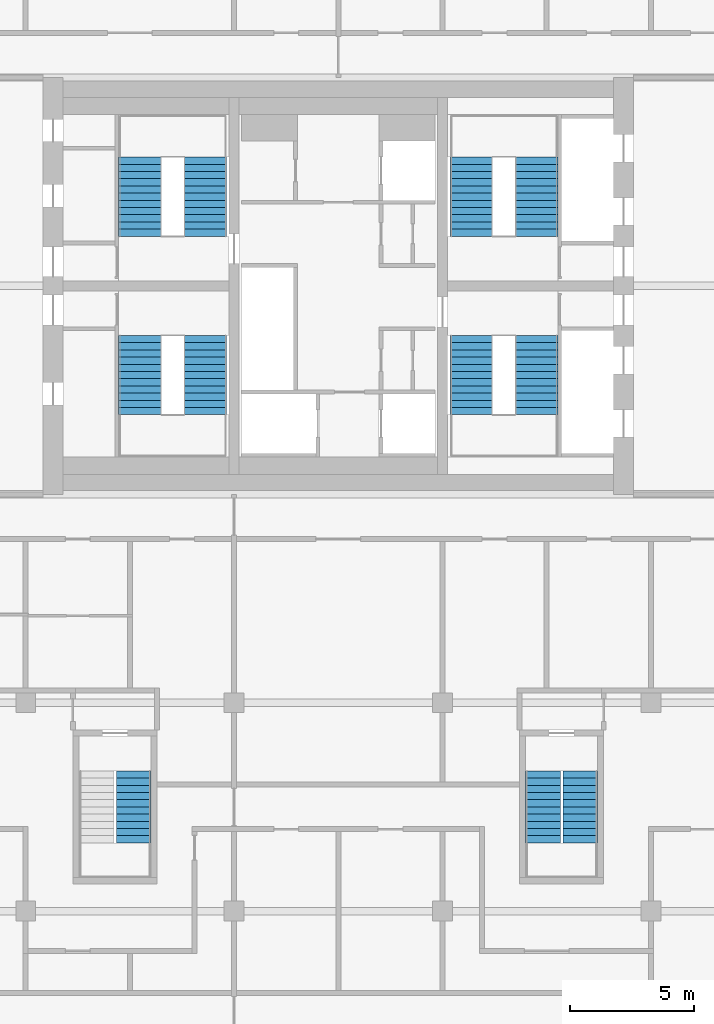
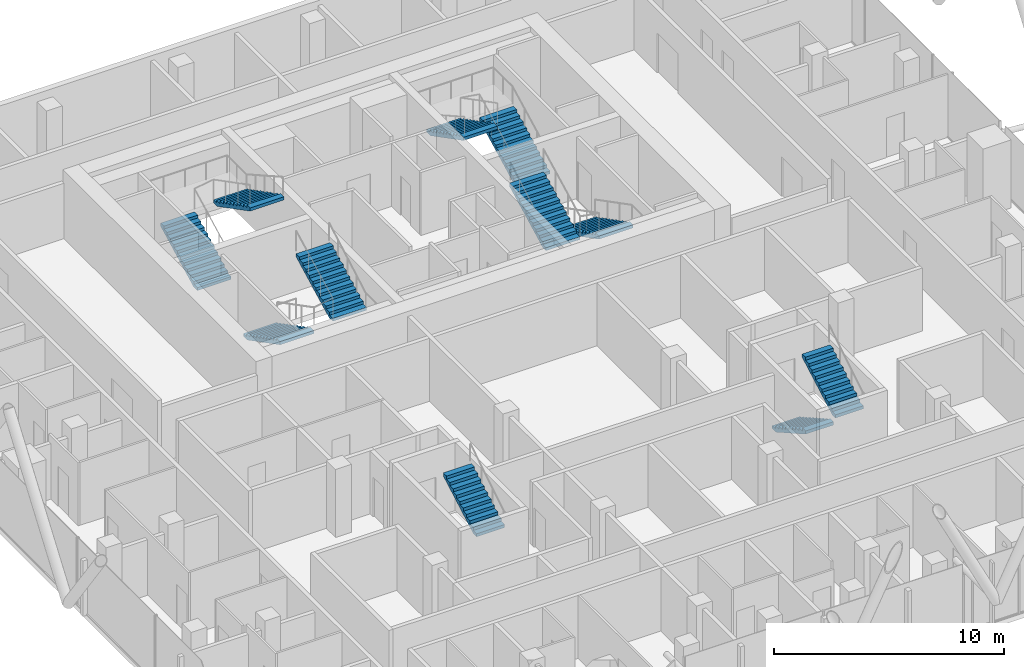
# One storey, part 30 of 31: 11 stair flights, 6 elements without a shape of their own.
"""IFC4 building model written with IfcOpenShell, lengths in metres."""

from ifc_helpers import new_model, si_unit, direction, frame, origin, place, context, subcontext, project, spatial, polyline, outline, extrude, material, type_object, element, aggregate, save


model = new_model("IFC4")

# Units and contexts
model_context = context("Model", 3, precision=1e-05, world=origin(), true_north=direction((0.0, 1.0)))
body_context = subcontext(model_context, "Body", "Model", "MODEL_VIEW")
ifc_project = project(units=[si_unit("LENGTHUNIT", "METRE"), si_unit("AREAUNIT", "SQUARE_METRE"), si_unit("VOLUMEUNIT", "CUBIC_METRE"), si_unit("PLANEANGLEUNIT", "RADIAN"), si_unit("MASSUNIT", "GRAM", prefix="KILO")], contexts=[model_context])

# Site, building, storey
site_placement = place(None, origin())
site = spatial("IfcSite", under=ifc_project, at=site_placement, CompositionType="ELEMENT")
building_placement = place(site_placement, origin())
building = spatial("IfcBuilding", under=site, at=building_placement, Name="Marenta Gate Hotel Tower", CompositionType="ELEMENT")
storey_placement = place(building_placement, frame((0.0, 0.0, 234.5)))
storey = spatial("IfcBuildingStorey", under=building, at=storey_placement, Name="L55", CompositionType="ELEMENT", Elevation=234.5)

# Stair, stair flights
ifc_material_1 = material(Name="Concrete C40", Category="concrete")
stair_type_1 = type_object("IfcStairType", Name="Core exit stair 1700 wide", PredefinedType="HALF_TURN_STAIR", material=ifc_material_1)
stair_1_placement = place(storey_placement, origin())
stair_1 = element("IfcStair", 1, at=stair_1_placement, inside=storey, type_object=stair_type_1, Name="Exit stair 1", PredefinedType="HALF_TURN_STAIR")
ifc_material_2 = material(Name="Concrete C40", Category="concrete")
stair_flight_type_1 = type_object("IfcStairFlightType", Name="Core stair flight 1700 riser 150.0 going 290", PredefinedType="STRAIGHT", material=ifc_material_2)
stair_flight_1_placement = place(storey_placement, frame((-8.0, 6.39990234375, 0.0), z_axis=(0.0, 0.0, 1.0), x_axis=(0.0, -1.0, 0.0)))
stair_flight_1 = element("IfcStairFlight", 2, at=stair_flight_1_placement, type_object=stair_flight_type_1, Name="ST1 flight 1", NumberOfRisers=12, NumberOfTreads=11, PredefinedType="STRAIGHT", RiserHeight=0.15, TreadLength=0.29, context=body_context, shape_type="SweptSolid", body=[
    extrude(outline(polyline([(0.0, 0.0), (0.0, 0.14990234375), (0.2900390625, 0.14990234375), (0.2900390625, 0.300048828125), (0.580078125, 0.300048828125), (0.580078125, 0.449951171875), (0.8701171875, 0.449951171875), (0.8701171875, 0.60009765625), (1.159912109375, 0.60009765625), (1.159912109375, 0.75), (1.449951171875, 0.75), (1.449951171875, 0.89990234375), (1.739990234375, 0.89990234375), (1.739990234375, 1.050048828125), (2.030029296875, 1.050048828125), (2.030029296875, 1.199951171875), (2.320068359375, 1.199951171875), (2.320068359375, 1.35009765625), (2.610107421875, 1.35009765625), (2.610107421875, 1.5), (2.89990234375, 1.5), (2.89990234375, 1.64990234375), (3.18994140625, 1.64990234375), (3.18994140625, 1.800048828125), (3.18994140625, 1.481201171875), (0.326171875, 0.0), (0.0, 0.0)])), frame((0.0, 0.85009765625, 0.0), z_axis=(0.0, -1.0, 0.0), x_axis=(1.0, 0.0, 0.0)), (0.0, 0.0, 1.0), 1.699951171875),
])
stair_flight_2_placement = place(storey_placement, frame((-5.35009765625, 3.2099609375, 1.800048828125), z_axis=(0.0, 0.0, 1.0), x_axis=(0.0, 1.0, 0.0)))
stair_flight_2 = element("IfcStairFlight", 3, at=stair_flight_2_placement, type_object=stair_flight_type_1, Name="ST1 flight 2", NumberOfRisers=12, NumberOfTreads=11, PredefinedType="STRAIGHT", RiserHeight=0.15, TreadLength=0.29, context=body_context, shape_type="SweptSolid", body=[
    extrude(outline(polyline([(0.0, 0.0), (0.0, 0.14990234375), (0.2900390625, 0.14990234375), (0.2900390625, 0.300048828125), (0.580078125, 0.300048828125), (0.580078125, 0.449951171875), (0.8701171875, 0.449951171875), (0.8701171875, 0.60009765625), (1.159912109375, 0.60009765625), (1.159912109375, 0.75), (1.449951171875, 0.75), (1.449951171875, 0.89990234375), (1.739990234375, 0.89990234375), (1.739990234375, 1.050048828125), (2.030029296875, 1.050048828125), (2.030029296875, 1.199951171875), (2.320068359375, 1.199951171875), (2.320068359375, 1.35009765625), (2.610107421875, 1.35009765625), (2.610107421875, 1.5), (2.89990234375, 1.5), (2.89990234375, 1.64990234375), (3.18994140625, 1.64990234375), (3.18994140625, 1.800048828125), (3.18994140625, 1.481201171875), (0.326171875, 0.0), (0.0, 0.0)])), frame((0.0, 0.85009765625, 0.0), z_axis=(0.0, -1.0, 0.0), x_axis=(1.0, 0.0, 0.0)), (0.0, 0.0, 1.0), 1.699951171875),
])
aggregate(stair_1, [stair_flight_1, stair_flight_2])

stair_2_placement = place(storey_placement, origin())
stair_2 = element("IfcStair", 4, at=stair_2_placement, inside=storey, type_object=stair_type_1, Name="Exit stair 2", PredefinedType="HALF_TURN_STAIR")
stair_flight_3_placement = place(storey_placement, frame((-8.0, 10.39990234375, 0.0), z_axis=(0.0, 0.0, 1.0), x_axis=(0.0, 1.0, 0.0)))
stair_flight_3 = element("IfcStairFlight", 5, at=stair_flight_3_placement, type_object=stair_flight_type_1, Name="ST2 flight 1", NumberOfRisers=12, NumberOfTreads=11, PredefinedType="STRAIGHT", RiserHeight=0.15, TreadLength=0.29, context=body_context, shape_type="SweptSolid", body=[
    extrude(outline(polyline([(0.0, 0.0), (0.0, 0.14990234375), (0.2900390625, 0.14990234375), (0.2900390625, 0.300048828125), (0.580078125, 0.300048828125), (0.580078125, 0.449951171875), (0.8701171875, 0.449951171875), (0.8701171875, 0.60009765625), (1.159912109375, 0.60009765625), (1.159912109375, 0.75), (1.449951171875, 0.75), (1.449951171875, 0.89990234375), (1.739990234375, 0.89990234375), (1.739990234375, 1.050048828125), (2.030029296875, 1.050048828125), (2.030029296875, 1.199951171875), (2.320068359375, 1.199951171875), (2.320068359375, 1.35009765625), (2.610107421875, 1.35009765625), (2.610107421875, 1.5), (2.89990234375, 1.5), (2.89990234375, 1.64990234375), (3.18994140625, 1.64990234375), (3.18994140625, 1.800048828125), (3.18994140625, 1.481201171875), (0.326171875, 0.0), (0.0, 0.0)])), frame((0.0, 0.85009765625, 0.0), z_axis=(0.0, -1.0, 0.0), x_axis=(1.0, 0.0, 0.0)), (0.0, 0.0, 1.0), 1.699951171875),
])
stair_flight_4_placement = place(storey_placement, frame((-5.35009765625, 13.590087890625, 1.800048828125), z_axis=(0.0, 0.0, 1.0), x_axis=(0.0, -1.0, 0.0)))
stair_flight_4 = element("IfcStairFlight", 6, at=stair_flight_4_placement, type_object=stair_flight_type_1, Name="ST2 flight 2", NumberOfRisers=12, NumberOfTreads=11, PredefinedType="STRAIGHT", RiserHeight=0.15, TreadLength=0.29, context=body_context, shape_type="SweptSolid", body=[
    extrude(outline(polyline([(0.0, 0.0), (0.0, 0.14990234375), (0.2900390625, 0.14990234375), (0.2900390625, 0.300048828125), (0.580078125, 0.300048828125), (0.580078125, 0.449951171875), (0.8701171875, 0.449951171875), (0.8701171875, 0.60009765625), (1.159912109375, 0.60009765625), (1.159912109375, 0.75), (1.449951171875, 0.75), (1.449951171875, 0.89990234375), (1.739990234375, 0.89990234375), (1.739990234375, 1.050048828125), (2.030029296875, 1.050048828125), (2.030029296875, 1.199951171875), (2.320068359375, 1.199951171875), (2.320068359375, 1.35009765625), (2.610107421875, 1.35009765625), (2.610107421875, 1.5), (2.89990234375, 1.5), (2.89990234375, 1.64990234375), (3.18994140625, 1.64990234375), (3.18994140625, 1.800048828125), (3.18994140625, 1.481201171875), (0.326171875, 0.0), (0.0, 0.0)])), frame((0.0, 0.85009765625, 0.0), z_axis=(0.0, -1.0, 0.0), x_axis=(1.0, 0.0, 0.0)), (0.0, 0.0, 1.0), 1.699951171875),
])
aggregate(stair_2, [stair_flight_3, stair_flight_4])

stair_3_placement = place(storey_placement, origin())
stair_3 = element("IfcStair", 7, at=stair_3_placement, inside=storey, type_object=stair_type_1, Name="Exit stair 3", PredefinedType="HALF_TURN_STAIR")
stair_flight_5_placement = place(storey_placement, frame((8.0, 6.39990234375, 0.0), z_axis=(0.0, 0.0, 1.0), x_axis=(0.0, -1.0, 0.0)))
stair_flight_5 = element("IfcStairFlight", 8, at=stair_flight_5_placement, type_object=stair_flight_type_1, Name="ST3 flight 1", NumberOfRisers=12, NumberOfTreads=11, PredefinedType="STRAIGHT", RiserHeight=0.15, TreadLength=0.29, context=body_context, shape_type="SweptSolid", body=[
    extrude(outline(polyline([(0.0, 0.0), (0.0, 0.14990234375), (0.2900390625, 0.14990234375), (0.2900390625, 0.300048828125), (0.580078125, 0.300048828125), (0.580078125, 0.449951171875), (0.8701171875, 0.449951171875), (0.8701171875, 0.60009765625), (1.159912109375, 0.60009765625), (1.159912109375, 0.75), (1.449951171875, 0.75), (1.449951171875, 0.89990234375), (1.739990234375, 0.89990234375), (1.739990234375, 1.050048828125), (2.030029296875, 1.050048828125), (2.030029296875, 1.199951171875), (2.320068359375, 1.199951171875), (2.320068359375, 1.35009765625), (2.610107421875, 1.35009765625), (2.610107421875, 1.5), (2.89990234375, 1.5), (2.89990234375, 1.64990234375), (3.18994140625, 1.64990234375), (3.18994140625, 1.800048828125), (3.18994140625, 1.481201171875), (0.326171875, 0.0), (0.0, 0.0)])), frame((0.0, 0.85009765625, 0.0), z_axis=(0.0, -1.0, 0.0), x_axis=(1.0, 0.0, 0.0)), (0.0, 0.0, 1.0), 1.699951171875),
])
stair_flight_6_placement = place(storey_placement, frame((5.35009765625, 3.2099609375, 1.800048828125), z_axis=(0.0, 0.0, 1.0), x_axis=(0.0, 1.0, 0.0)))
stair_flight_6 = element("IfcStairFlight", 9, at=stair_flight_6_placement, type_object=stair_flight_type_1, Name="ST3 flight 2", NumberOfRisers=12, NumberOfTreads=11, PredefinedType="STRAIGHT", RiserHeight=0.15, TreadLength=0.29, context=body_context, shape_type="SweptSolid", body=[
    extrude(outline(polyline([(0.0, 0.0), (0.0, 0.14990234375), (0.2900390625, 0.14990234375), (0.2900390625, 0.300048828125), (0.580078125, 0.300048828125), (0.580078125, 0.449951171875), (0.8701171875, 0.449951171875), (0.8701171875, 0.60009765625), (1.159912109375, 0.60009765625), (1.159912109375, 0.75), (1.449951171875, 0.75), (1.449951171875, 0.89990234375), (1.739990234375, 0.89990234375), (1.739990234375, 1.050048828125), (2.030029296875, 1.050048828125), (2.030029296875, 1.199951171875), (2.320068359375, 1.199951171875), (2.320068359375, 1.35009765625), (2.610107421875, 1.35009765625), (2.610107421875, 1.5), (2.89990234375, 1.5), (2.89990234375, 1.64990234375), (3.18994140625, 1.64990234375), (3.18994140625, 1.800048828125), (3.18994140625, 1.481201171875), (0.326171875, 0.0), (0.0, 0.0)])), frame((0.0, 0.85009765625, 0.0), z_axis=(0.0, -1.0, 0.0), x_axis=(1.0, 0.0, 0.0)), (0.0, 0.0, 1.0), 1.699951171875),
])
aggregate(stair_3, [stair_flight_5, stair_flight_6])

stair_4_placement = place(storey_placement, origin())
stair_4 = element("IfcStair", 10, at=stair_4_placement, inside=storey, type_object=stair_type_1, Name="Exit stair 4", PredefinedType="HALF_TURN_STAIR")
stair_flight_7_placement = place(storey_placement, frame((8.0, 10.39990234375, 0.0), z_axis=(0.0, 0.0, 1.0), x_axis=(0.0, 1.0, 0.0)))
stair_flight_7 = element("IfcStairFlight", 11, at=stair_flight_7_placement, type_object=stair_flight_type_1, Name="ST4 flight 1", NumberOfRisers=12, NumberOfTreads=11, PredefinedType="STRAIGHT", RiserHeight=0.15, TreadLength=0.29, context=body_context, shape_type="SweptSolid", body=[
    extrude(outline(polyline([(0.0, 0.0), (0.0, 0.14990234375), (0.2900390625, 0.14990234375), (0.2900390625, 0.300048828125), (0.580078125, 0.300048828125), (0.580078125, 0.449951171875), (0.8701171875, 0.449951171875), (0.8701171875, 0.60009765625), (1.159912109375, 0.60009765625), (1.159912109375, 0.75), (1.449951171875, 0.75), (1.449951171875, 0.89990234375), (1.739990234375, 0.89990234375), (1.739990234375, 1.050048828125), (2.030029296875, 1.050048828125), (2.030029296875, 1.199951171875), (2.320068359375, 1.199951171875), (2.320068359375, 1.35009765625), (2.610107421875, 1.35009765625), (2.610107421875, 1.5), (2.89990234375, 1.5), (2.89990234375, 1.64990234375), (3.18994140625, 1.64990234375), (3.18994140625, 1.800048828125), (3.18994140625, 1.481201171875), (0.326171875, 0.0), (0.0, 0.0)])), frame((0.0, 0.85009765625, 0.0), z_axis=(0.0, -1.0, 0.0), x_axis=(1.0, 0.0, 0.0)), (0.0, 0.0, 1.0), 1.699951171875),
])
stair_flight_8_placement = place(storey_placement, frame((5.35009765625, 13.590087890625, 1.800048828125), z_axis=(0.0, 0.0, 1.0), x_axis=(0.0, -1.0, 0.0)))
stair_flight_8 = element("IfcStairFlight", 12, at=stair_flight_8_placement, type_object=stair_flight_type_1, Name="ST4 flight 2", NumberOfRisers=12, NumberOfTreads=11, PredefinedType="STRAIGHT", RiserHeight=0.15, TreadLength=0.29, context=body_context, shape_type="SweptSolid", body=[
    extrude(outline(polyline([(0.0, 0.0), (0.0, 0.14990234375), (0.2900390625, 0.14990234375), (0.2900390625, 0.300048828125), (0.580078125, 0.300048828125), (0.580078125, 0.449951171875), (0.8701171875, 0.449951171875), (0.8701171875, 0.60009765625), (1.159912109375, 0.60009765625), (1.159912109375, 0.75), (1.449951171875, 0.75), (1.449951171875, 0.89990234375), (1.739990234375, 0.89990234375), (1.739990234375, 1.050048828125), (2.030029296875, 1.050048828125), (2.030029296875, 1.199951171875), (2.320068359375, 1.199951171875), (2.320068359375, 1.35009765625), (2.610107421875, 1.35009765625), (2.610107421875, 1.5), (2.89990234375, 1.5), (2.89990234375, 1.64990234375), (3.18994140625, 1.64990234375), (3.18994140625, 1.800048828125), (3.18994140625, 1.481201171875), (0.326171875, 0.0), (0.0, 0.0)])), frame((0.0, 0.85009765625, 0.0), z_axis=(0.0, -1.0, 0.0), x_axis=(1.0, 0.0, 0.0)), (0.0, 0.0, 1.0), 1.699951171875),
])
aggregate(stair_4, [stair_flight_7, stair_flight_8])

# Stair, stair flight
ifc_material_3 = material(Name="Concrete C40", Category="concrete")
stair_type_2 = type_object("IfcStairType", Name="Remote exit stair 1400 wide", PredefinedType="HALF_TURN_STAIR", material=ifc_material_3)
stair_5_placement = place(storey_placement, origin())
stair_5 = element("IfcStair", 13, at=stair_5_placement, inside=storey, type_object=stair_type_2, Name="Exit stair RS-Z3-1", PredefinedType="HALF_TURN_STAIR")
ifc_material_4 = material(Name="Concrete C40", Category="concrete")
stair_flight_type_2 = type_object("IfcStairFlightType", Name="Remote stair flight 1400 riser 163.6 going 290", PredefinedType="STRAIGHT", material=ifc_material_4)
stair_flight_9_placement = place(storey_placement, frame((-8.25, -14.050048828125, 1.800048828125), z_axis=(0.0, 0.0, 1.0), x_axis=(0.0, 1.0, 0.0)))
stair_flight_9 = element("IfcStairFlight", 14, at=stair_flight_9_placement, type_object=stair_flight_type_2, Name="RS-Z3-1 flight 2", NumberOfRisers=11, NumberOfTreads=10, PredefinedType="STRAIGHT", RiserHeight=0.163636, TreadLength=0.29, context=body_context, shape_type="SweptSolid", body=[
    extrude(outline(polyline([(0.0, 0.0), (0.0, 0.16357421875), (0.2900390625, 0.16357421875), (0.2900390625, 0.327392578125), (0.580078125, 0.327392578125), (0.580078125, 0.490966796875), (0.8701171875, 0.490966796875), (0.8701171875, 0.654541015625), (1.159912109375, 0.654541015625), (1.159912109375, 0.818115234375), (1.449951171875, 0.818115234375), (1.449951171875, 0.98193359375), (1.739990234375, 0.98193359375), (1.739990234375, 1.1455078125), (2.030029296875, 1.1455078125), (2.030029296875, 1.30908203125), (2.320068359375, 1.30908203125), (2.320068359375, 1.47265625), (2.610107421875, 1.47265625), (2.610107421875, 1.636474609375), (2.89990234375, 1.636474609375), (2.89990234375, 1.800048828125), (2.89990234375, 1.46435546875), (0.304931640625, 0.0), (0.0, 0.0)])), frame((0.0, 0.699951171875, 0.0), z_axis=(0.0, -1.0, 0.0), x_axis=(1.0, 0.0, 0.0)), (0.0, 0.0, 1.0), 1.39990234375),
])
aggregate(stair_5, [stair_flight_9])

# Stair, stair flights
stair_6_placement = place(storey_placement, origin())
stair_6 = element("IfcStair", 15, at=stair_6_placement, inside=storey, type_object=stair_type_2, Name="Exit stair RS-Z3-2", PredefinedType="HALF_TURN_STAIR")
stair_flight_10_placement = place(storey_placement, frame((8.25, -11.14990234375, 0.0), z_axis=(0.0, 0.0, 1.0), x_axis=(0.0, -1.0, 0.0)))
stair_flight_10 = element("IfcStairFlight", 16, at=stair_flight_10_placement, type_object=stair_flight_type_2, Name="RS-Z3-2 flight 1", NumberOfRisers=11, NumberOfTreads=10, PredefinedType="STRAIGHT", RiserHeight=0.163636, TreadLength=0.29, context=body_context, shape_type="SweptSolid", body=[
    extrude(outline(polyline([(0.0, 0.0), (0.0, 0.16357421875), (0.2900390625, 0.16357421875), (0.2900390625, 0.327392578125), (0.580078125, 0.327392578125), (0.580078125, 0.490966796875), (0.8701171875, 0.490966796875), (0.8701171875, 0.654541015625), (1.159912109375, 0.654541015625), (1.159912109375, 0.818115234375), (1.449951171875, 0.818115234375), (1.449951171875, 0.98193359375), (1.739990234375, 0.98193359375), (1.739990234375, 1.1455078125), (2.030029296875, 1.1455078125), (2.030029296875, 1.30908203125), (2.320068359375, 1.30908203125), (2.320068359375, 1.47265625), (2.610107421875, 1.47265625), (2.610107421875, 1.636474609375), (2.89990234375, 1.636474609375), (2.89990234375, 1.800048828125), (2.89990234375, 1.46435546875), (0.304931640625, 0.0), (0.0, 0.0)])), frame((0.0, 0.699951171875, 0.0), z_axis=(0.0, -1.0, 0.0), x_axis=(1.0, 0.0, 0.0)), (0.0, 0.0, 1.0), 1.39990234375),
])
stair_flight_11_placement = place(storey_placement, frame((9.75, -14.050048828125, 1.800048828125), z_axis=(0.0, 0.0, 1.0), x_axis=(0.0, 1.0, 0.0)))
stair_flight_11 = element("IfcStairFlight", 17, at=stair_flight_11_placement, type_object=stair_flight_type_2, Name="RS-Z3-2 flight 2", NumberOfRisers=11, NumberOfTreads=10, PredefinedType="STRAIGHT", RiserHeight=0.163636, TreadLength=0.29, context=body_context, shape_type="SweptSolid", body=[
    extrude(outline(polyline([(0.0, 0.0), (0.0, 0.16357421875), (0.2900390625, 0.16357421875), (0.2900390625, 0.327392578125), (0.580078125, 0.327392578125), (0.580078125, 0.490966796875), (0.8701171875, 0.490966796875), (0.8701171875, 0.654541015625), (1.159912109375, 0.654541015625), (1.159912109375, 0.818115234375), (1.449951171875, 0.818115234375), (1.449951171875, 0.98193359375), (1.739990234375, 0.98193359375), (1.739990234375, 1.1455078125), (2.030029296875, 1.1455078125), (2.030029296875, 1.30908203125), (2.320068359375, 1.30908203125), (2.320068359375, 1.47265625), (2.610107421875, 1.47265625), (2.610107421875, 1.636474609375), (2.89990234375, 1.636474609375), (2.89990234375, 1.800048828125), (2.89990234375, 1.46435546875), (0.304931640625, 0.0), (0.0, 0.0)])), frame((0.0, 0.699951171875, 0.0), z_axis=(0.0, -1.0, 0.0), x_axis=(1.0, 0.0, 0.0)), (0.0, 0.0, 1.0), 1.39990234375),
])
aggregate(stair_6, [stair_flight_10, stair_flight_11])

save(model, "model.ifc")
